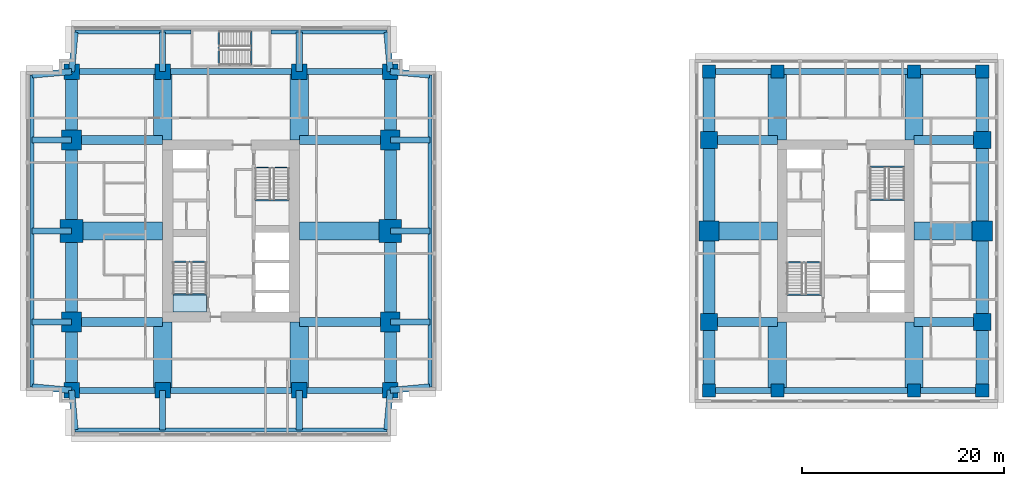
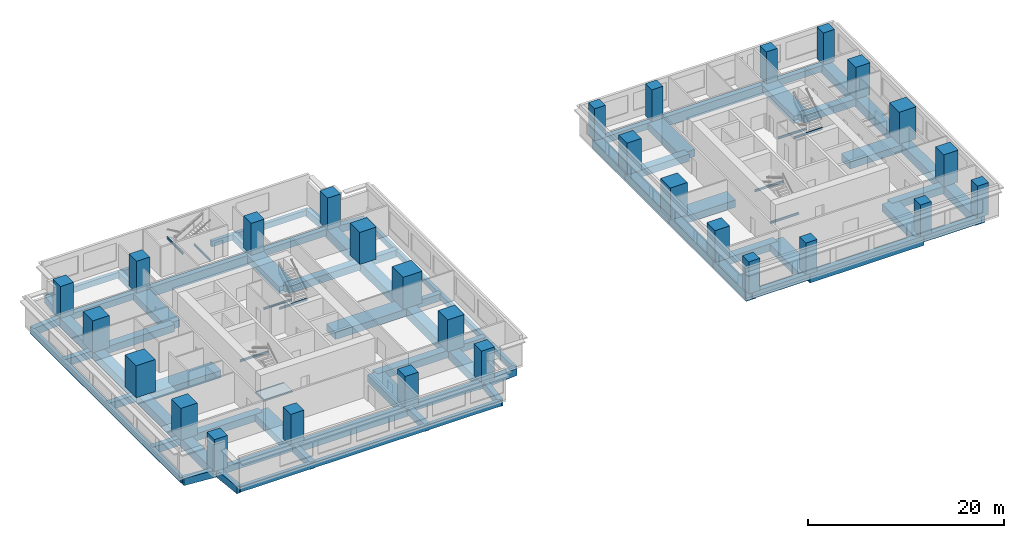
# One storey, part 1 of 11: 81 beams, 28 columns, 1 slab, 1 element without a shape of its own.
"""IFC4 building model written with IfcOpenShell, lengths in metres."""

from ifc_helpers import new_model, si_unit, direction, frame, origin, origin_2d, place, context, subcontext, project, spatial, polyline, rectangle, i_section, outline, extrude, material, layer, layer_set, material_profile, profile_set, type_object, element, aggregate, save


model = new_model("IFC4")

# Units and contexts
model_context = context("Model", 3, precision=1e-05, world=origin(), true_north=direction((0.0, 1.0)))
body_context = subcontext(model_context, "Body", "Model", "MODEL_VIEW")
ifc_project = project(units=[si_unit("LENGTHUNIT", "METRE"), si_unit("AREAUNIT", "SQUARE_METRE"), si_unit("VOLUMEUNIT", "CUBIC_METRE"), si_unit("PLANEANGLEUNIT", "RADIAN"), si_unit("MASSUNIT", "GRAM", prefix="KILO")], contexts=[model_context])

# Site, building, storey
site_placement = place(None, origin())
site = spatial("IfcSite", under=ifc_project, at=site_placement, CompositionType="ELEMENT")
building_placement = place(site_placement, origin())
building = spatial("IfcBuilding", under=site, at=building_placement, Name="Namib Vertical Campus", CompositionType="ELEMENT")
storey_placement = place(building_placement, frame((0.0, 0.0, 209.0)))
storey = spatial("IfcBuildingStorey", under=building, at=storey_placement, Name="L49", CompositionType="ELEMENT", Elevation=209.0)

# Columns
ifc_material_1 = material(Name="Concrete C60/75", Category="concrete")
ifc_material_profile_1 = material_profile(ifc_material_1, rectangle(XDim=1.300048828125, YDim=1.300048828125, at=origin_2d()))
ifc_profile_set_1 = profile_set([ifc_material_profile_1], Name="Concrete C60/75")
column_type_1 = type_object("IfcColumnType", Name="Column RC 1300x1300", PredefinedType="COLUMN", material=ifc_profile_set_1)
for number, where, z_axis, x_axis, name in (
    (1, (67.5, 4.5, 0.0), (0.0, 0.0, 1.0), (1.0, 0.0, 0.0), "Column C130 L49"),
    (2, (74.25, 4.5, 0.0), (0.0, 0.0, 1.0), (1.0, 0.0, 0.0), "Column C130 L49"),
    (3, (87.75, 4.5, 0.0), (0.0, 0.0, 1.0), (1.0, 0.0, 0.0), "Column C130 L49"),
    (4, (94.5, 4.5, 0.0), (0.0, 0.0, 1.0), (1.0, 0.0, 0.0), "Column C130 L49"),
    (5, (67.5, 36.0, 0.0), (0.0, 0.0, 1.0), (1.0, 0.0, 0.0), "Column C130 L49"),
    (6, (74.25, 36.0, 0.0), (0.0, 0.0, 1.0), (1.0, 0.0, 0.0), "Column C130 L49"),
    (7, (87.75, 36.0, 0.0), (0.0, 0.0, 1.0), (1.0, 0.0, 0.0), "Column C130 L49"),
    (8, (94.5, 36.0, 0.0), (0.0, 0.0, 1.0), (1.0, 0.0, 0.0), "Column C130 L49"),
):
    element("IfcColumn", number, at=place(storey_placement, frame(where, z_axis=z_axis, x_axis=x_axis)), inside=storey, type_object=column_type_1, Name=name, PredefinedType="COLUMN", context=body_context, shape_type="SweptSolid", body=[
        extrude(rectangle(XDim=1.300048828125, YDim=1.300048828125, at=origin_2d()), origin(), (0.0, 0.0, 1.0), 4.0),
    ])
ifc_material_2 = material(Name="Concrete C60/75", Category="concrete")
ifc_material_profile_2 = material_profile(ifc_material_2, rectangle(XDim=1.550048828125, YDim=1.550048828125, at=origin_2d()))
ifc_profile_set_2 = profile_set([ifc_material_profile_2], Name="Concrete C60/75")
column_type_2 = type_object("IfcColumnType", Name="Column RC 1550x1550", PredefinedType="COLUMN", material=ifc_profile_set_2)
for number, where, z_axis, x_axis, name in (
    (9, (4.5, 4.5, 0.0), (0.0, 0.0, 1.0), (1.0, 0.0, 0.0), "Column C155 L49"),
    (10, (13.5, 4.5, 0.0), (0.0, 0.0, 1.0), (1.0, 0.0, 0.0), "Column C155 L49"),
    (11, (27.0, 4.5, 0.0), (0.0, 0.0, 1.0), (1.0, 0.0, 0.0), "Column C155 L49"),
    (12, (36.0, 4.5, 0.0), (0.0, 0.0, 1.0), (1.0, 0.0, 0.0), "Column C155 L49"),
    (13, (4.5, 36.0, 0.0), (0.0, 0.0, 1.0), (1.0, 0.0, 0.0), "Column C155 L49"),
    (14, (13.5, 36.0, 0.0), (0.0, 0.0, 1.0), (1.0, 0.0, 0.0), "Column C155 L49"),
    (15, (27.0, 36.0, 0.0), (0.0, 0.0, 1.0), (1.0, 0.0, 0.0), "Column C155 L49"),
    (16, (36.0, 36.0, 0.0), (0.0, 0.0, 1.0), (1.0, 0.0, 0.0), "Column C155 L49"),
):
    element("IfcColumn", number, at=place(storey_placement, frame(where, z_axis=z_axis, x_axis=x_axis)), inside=storey, type_object=column_type_2, Name=name, PredefinedType="COLUMN", context=body_context, shape_type="SweptSolid", body=[
        extrude(rectangle(XDim=1.550048828125, YDim=1.550048828125, at=origin_2d()), origin(), (0.0, 0.0, 1.0), 4.0),
    ])
ifc_material_3 = material(Name="Concrete C60/75", Category="concrete")
ifc_material_profile_3 = material_profile(ifc_material_3, rectangle(XDim=1.699951171875, YDim=1.699951171875, at=origin_2d()))
ifc_profile_set_3 = profile_set([ifc_material_profile_3], Name="Concrete C60/75")
column_type_3 = type_object("IfcColumnType", Name="Column RC 1700x1700", PredefinedType="COLUMN", material=ifc_profile_set_3)
for number, where, z_axis, x_axis, name in (
    (17, (67.5, 11.25, 0.0), (0.0, 0.0, 1.0), (1.0, 0.0, 0.0), "Column C170 L49"),
    (18, (94.5, 11.25, 0.0), (0.0, 0.0, 1.0), (1.0, 0.0, 0.0), "Column C170 L49"),
    (19, (67.5, 29.25, 0.0), (0.0, 0.0, 1.0), (1.0, 0.0, 0.0), "Column C170 L49"),
    (20, (94.5, 29.25, 0.0), (0.0, 0.0, 1.0), (1.0, 0.0, 0.0), "Column C170 L49"),
):
    element("IfcColumn", number, at=place(storey_placement, frame(where, z_axis=z_axis, x_axis=x_axis)), inside=storey, type_object=column_type_3, Name=name, PredefinedType="COLUMN", context=body_context, shape_type="SweptSolid", body=[
        extrude(rectangle(XDim=1.699951171875, YDim=1.699951171875, at=origin_2d()), origin(), (0.0, 0.0, 1.0), 4.0),
    ])
ifc_material_4 = material(Name="Concrete C60/75", Category="concrete")
ifc_material_profile_4 = material_profile(ifc_material_4, rectangle(XDim=1.949951171875, YDim=1.949951171875, at=origin_2d()))
ifc_profile_set_4 = profile_set([ifc_material_profile_4], Name="Concrete C60/75")
column_type_4 = type_object("IfcColumnType", Name="Column RC 1950x1950", PredefinedType="COLUMN", material=ifc_profile_set_4)
for number, where, z_axis, x_axis, name in (
    (21, (4.5, 11.25, 0.0), (0.0, 0.0, 1.0), (1.0, 0.0, 0.0), "Column C195 L49"),
    (22, (36.0, 11.25, 0.0), (0.0, 0.0, 1.0), (1.0, 0.0, 0.0), "Column C195 L49"),
    (23, (4.5, 29.25, 0.0), (0.0, 0.0, 1.0), (1.0, 0.0, 0.0), "Column C195 L49"),
    (24, (36.0, 29.25, 0.0), (0.0, 0.0, 1.0), (1.0, 0.0, 0.0), "Column C195 L49"),
):
    element("IfcColumn", number, at=place(storey_placement, frame(where, z_axis=z_axis, x_axis=x_axis)), inside=storey, type_object=column_type_4, Name=name, PredefinedType="COLUMN", context=body_context, shape_type="SweptSolid", body=[
        extrude(rectangle(XDim=1.949951171875, YDim=1.949951171875, at=origin_2d()), origin(), (0.0, 0.0, 1.0), 4.0),
    ])
ifc_material_5 = material(Name="Concrete C60/75", Category="concrete")
ifc_material_profile_5 = material_profile(ifc_material_5, rectangle(XDim=2.0, YDim=2.0, at=origin_2d()))
ifc_profile_set_5 = profile_set([ifc_material_profile_5], Name="Concrete C60/75")
column_type_5 = type_object("IfcColumnType", Name="Column RC 2000x2000", PredefinedType="COLUMN", material=ifc_profile_set_5)
for number, where, z_axis, x_axis, name in (
    (25, (67.5, 20.25, 0.0), (0.0, 0.0, 1.0), (1.0, 0.0, 0.0), "Column C200 L49"),
    (26, (94.5, 20.25, 0.0), (0.0, 0.0, 1.0), (1.0, 0.0, 0.0), "Column C200 L49"),
):
    element("IfcColumn", number, at=place(storey_placement, frame(where, z_axis=z_axis, x_axis=x_axis)), inside=storey, type_object=column_type_5, Name=name, PredefinedType="COLUMN", context=body_context, shape_type="SweptSolid", body=[
        extrude(rectangle(XDim=2.0, YDim=2.0, at=origin_2d()), origin(), (0.0, 0.0, 1.0), 4.0),
    ])
ifc_material_6 = material(Name="Concrete C60/75", Category="concrete")
ifc_material_profile_6 = material_profile(ifc_material_6, rectangle(XDim=2.25, YDim=2.25, at=origin_2d()))
ifc_profile_set_6 = profile_set([ifc_material_profile_6], Name="Concrete C60/75")
column_type_6 = type_object("IfcColumnType", Name="Column RC 2250x2250", PredefinedType="COLUMN", material=ifc_profile_set_6)
for number, where, z_axis, x_axis, name in (
    (27, (4.5, 20.25, 0.0), (0.0, 0.0, 1.0), (1.0, 0.0, 0.0), "Column C225 L49"),
    (28, (36.0, 20.25, 0.0), (0.0, 0.0, 1.0), (1.0, 0.0, 0.0), "Column C225 L49"),
):
    element("IfcColumn", number, at=place(storey_placement, frame(where, z_axis=z_axis, x_axis=x_axis)), inside=storey, type_object=column_type_6, Name=name, PredefinedType="COLUMN", context=body_context, shape_type="SweptSolid", body=[
        extrude(rectangle(XDim=2.25, YDim=2.25, at=origin_2d()), origin(), (0.0, 0.0, 1.0), 4.0),
    ])

# Beams
ifc_material_7 = material(Name="Concrete C40/50", Category="concrete")
ifc_material_profile_7 = material_profile(ifc_material_7, rectangle(XDim=0.60009765625, YDim=0.89990234375, at=origin_2d()))
ifc_profile_set_7 = profile_set([ifc_material_profile_7], Name="Concrete C40/50")
beam_type_1 = type_object("IfcBeamType", Name="Cantilever girder RC 600x900", PredefinedType="BEAM", material=ifc_profile_set_7)
beam_1_placement = place(storey_placement, frame((4.5, 4.5, -0.699951171875), z_axis=(0.089411326146, -0.995994786511, 0.0), x_axis=(0.995994786511, 0.089411326146, 0.0)))
element("IfcBeam", 29, at=beam_1_placement, inside=storey, type_object=beam_type_1, Name="Beam B3 L49", PredefinedType="BEAM", context=body_context, shape_type="SweptSolid", body=[
    extrude(rectangle(XDim=0.60009765625, YDim=0.89990234375, at=origin_2d()), origin(), (0.0, 0.0, 1.0), 3.91552734375),
])
for number, where, z_axis, x_axis, name in (
    (30, (13.5, 4.5, -0.699951171875), (0.0, -1.0, 0.0), (1.0, 0.0, 0.0), "Beam B3 L49"),
    (31, (27.0, 4.5, -0.699951171875), (0.0, -1.0, 0.0), (1.0, 0.0, 0.0), "Beam B3 L49"),
):
    element("IfcBeam", number, at=place(storey_placement, frame(where, z_axis=z_axis, x_axis=x_axis)), inside=storey, type_object=beam_type_1, Name=name, PredefinedType="BEAM", context=body_context, shape_type="SweptSolid", body=[
        extrude(rectangle(XDim=0.60009765625, YDim=0.89990234375, at=origin_2d()), origin(), (0.0, 0.0, 1.0), 3.89990234375),
    ])
for number, where, z_axis, x_axis, name in (
    (32, (36.0, 4.5, -0.699951171875), (-0.089411326146, -0.995994786511, 0.0), (0.995994786511, -0.089411326146, 0.0), "Beam B3 L49"),
    (33, (4.5, 36.0, -0.699951171875), (0.089411326146, 0.995994786511, 0.0), (-0.995994786511, 0.089411326146, 0.0), "Beam B3 L49"),
):
    element("IfcBeam", number, at=place(storey_placement, frame(where, z_axis=z_axis, x_axis=x_axis)), inside=storey, type_object=beam_type_1, Name=name, PredefinedType="BEAM", context=body_context, shape_type="SweptSolid", body=[
        extrude(rectangle(XDim=0.60009765625, YDim=0.89990234375, at=origin_2d()), origin(), (0.0, 0.0, 1.0), 3.91552734375),
    ])
for number, where, z_axis, x_axis, name in (
    (34, (13.5, 36.0, -0.699951171875), (0.0, 1.0, 0.0), (-1.0, 0.0, 0.0), "Beam B3 L49"),
    (35, (27.0, 36.0, -0.699951171875), (0.0, 1.0, 0.0), (-1.0, 0.0, 0.0), "Beam B3 L49"),
):
    element("IfcBeam", number, at=place(storey_placement, frame(where, z_axis=z_axis, x_axis=x_axis)), inside=storey, type_object=beam_type_1, Name=name, PredefinedType="BEAM", context=body_context, shape_type="SweptSolid", body=[
        extrude(rectangle(XDim=0.60009765625, YDim=0.89990234375, at=origin_2d()), origin(), (0.0, 0.0, 1.0), 3.89990234375),
    ])
for number, where, z_axis, x_axis, name in (
    (36, (36.0, 36.0, -0.699951171875), (-0.089411326146, 0.995994786511, 0.0), (-0.995994786511, -0.089411326146, 0.0), "Beam B3 L49"),
    (37, (4.5, 4.5, -0.699951171875), (-0.995994786511, 0.089411326146, 0.0), (-0.089411326146, -0.995994786511, 0.0), "Beam B3 L49"),
):
    element("IfcBeam", number, at=place(storey_placement, frame(where, z_axis=z_axis, x_axis=x_axis)), inside=storey, type_object=beam_type_1, Name=name, PredefinedType="BEAM", context=body_context, shape_type="SweptSolid", body=[
        extrude(rectangle(XDim=0.60009765625, YDim=0.89990234375, at=origin_2d()), origin(), (0.0, 0.0, 1.0), 3.91552734375),
    ])
for number, where, z_axis, x_axis, name in (
    (38, (4.5, 11.25, -0.699951171875), (-1.0, 0.0, 0.0), (0.0, -1.0, 0.0), "Beam B3 L49"),
    (39, (4.5, 20.25, -0.699951171875), (-1.0, 0.0, 0.0), (0.0, -1.0, 0.0), "Beam B3 L49"),
    (40, (4.5, 29.25, -0.699951171875), (-1.0, 0.0, 0.0), (0.0, -1.0, 0.0), "Beam B3 L49"),
):
    element("IfcBeam", number, at=place(storey_placement, frame(where, z_axis=z_axis, x_axis=x_axis)), inside=storey, type_object=beam_type_1, Name=name, PredefinedType="BEAM", context=body_context, shape_type="SweptSolid", body=[
        extrude(rectangle(XDim=0.60009765625, YDim=0.89990234375, at=origin_2d()), origin(), (0.0, 0.0, 1.0), 3.89990234375),
    ])
for number, where, z_axis, x_axis, name in (
    (41, (4.5, 36.0, -0.699951171875), (-0.995994786511, -0.089411326146, 0.0), (0.089411326146, -0.995994786511, 0.0), "Beam B3 L49"),
    (42, (36.0, 4.5, -0.699951171875), (0.995994786511, 0.089411326146, 0.0), (-0.089411326146, 0.995994786511, 0.0), "Beam B3 L49"),
):
    element("IfcBeam", number, at=place(storey_placement, frame(where, z_axis=z_axis, x_axis=x_axis)), inside=storey, type_object=beam_type_1, Name=name, PredefinedType="BEAM", context=body_context, shape_type="SweptSolid", body=[
        extrude(rectangle(XDim=0.60009765625, YDim=0.89990234375, at=origin_2d()), origin(), (0.0, 0.0, 1.0), 3.91552734375),
    ])
for number, where, z_axis, x_axis, name in (
    (43, (36.0, 11.25, -0.699951171875), (1.0, 0.0, 0.0), (0.0, 1.0, 0.0), "Beam B3 L49"),
    (44, (36.0, 20.25, -0.699951171875), (1.0, 0.0, 0.0), (0.0, 1.0, 0.0), "Beam B3 L49"),
    (45, (36.0, 29.25, -0.699951171875), (1.0, 0.0, 0.0), (0.0, 1.0, 0.0), "Beam B3 L49"),
):
    element("IfcBeam", number, at=place(storey_placement, frame(where, z_axis=z_axis, x_axis=x_axis)), inside=storey, type_object=beam_type_1, Name=name, PredefinedType="BEAM", context=body_context, shape_type="SweptSolid", body=[
        extrude(rectangle(XDim=0.60009765625, YDim=0.89990234375, at=origin_2d()), origin(), (0.0, 0.0, 1.0), 3.89990234375),
    ])
beam_2_placement = place(storey_placement, frame((36.0, 36.0, -0.699951171875), z_axis=(0.995994786511, -0.089411326146, 0.0), x_axis=(0.089411326146, 0.995994786511, 0.0)))
element("IfcBeam", 46, at=beam_2_placement, inside=storey, type_object=beam_type_1, Name="Beam B3 L49", PredefinedType="BEAM", context=body_context, shape_type="SweptSolid", body=[
    extrude(rectangle(XDim=0.60009765625, YDim=0.89990234375, at=origin_2d()), origin(), (0.0, 0.0, 1.0), 3.91552734375),
])
ifc_material_8 = material(Name="Concrete C40/50", Category="concrete")
ifc_material_profile_8 = material_profile(ifc_material_8, rectangle(XDim=0.39990234375, YDim=0.699951171875, at=origin_2d()))
ifc_profile_set_8 = profile_set([ifc_material_profile_8], Name="Concrete C40/50")
beam_type_2 = type_object("IfcBeamType", Name="Edge beam RC 400x700", PredefinedType="SPANDREL", material=ifc_profile_set_8)
beam_3_placement = place(storey_placement, frame((4.85009765625, 0.60009765625, -0.60009765625), z_axis=(1.0, 0.0, 0.0), x_axis=(0.0, 1.0, 0.0)))
element("IfcBeam", 47, at=beam_3_placement, inside=storey, type_object=beam_type_2, Name="Beam B4 L49", PredefinedType="SPANDREL", context=body_context, shape_type="SweptSolid", body=[
    extrude(rectangle(XDim=0.39990234375, YDim=0.699951171875, at=origin_2d()), origin(), (0.0, 0.0, 1.0), 30.7998046875),
])
for number, where, z_axis, x_axis, name in (
    (48, (4.85009765625, 39.89990234375, -0.60009765625), (1.0, 0.0, 0.0), (0.0, 1.0, 0.0), "Beam B4 L49"),
    (49, (24.199951171875, 39.89990234375, -0.60009765625), (1.0, 0.0, 0.0), (0.0, 1.0, 0.0), "Beam B4 L49"),
):
    element("IfcBeam", number, at=place(storey_placement, frame(where, z_axis=z_axis, x_axis=x_axis)), inside=storey, type_object=beam_type_2, Name=name, PredefinedType="SPANDREL", context=body_context, shape_type="SweptSolid", body=[
        extrude(rectangle(XDim=0.39990234375, YDim=0.699951171875, at=origin_2d()), origin(), (0.0, 0.0, 1.0), 11.449951171875),
    ])
for number, where, z_axis, x_axis, name in (
    (50, (0.60009765625, 4.85009765625, -0.60009765625), (0.0, 1.0, 0.0), (-1.0, 0.0, 0.0), "Beam B4 L49"),
    (51, (39.89990234375, 4.85009765625, -0.60009765625), (0.0, 1.0, 0.0), (-1.0, 0.0, 0.0), "Beam B4 L49"),
):
    element("IfcBeam", number, at=place(storey_placement, frame(where, z_axis=z_axis, x_axis=x_axis)), inside=storey, type_object=beam_type_2, Name=name, PredefinedType="SPANDREL", context=body_context, shape_type="SweptSolid", body=[
        extrude(rectangle(XDim=0.39990234375, YDim=0.699951171875, at=origin_2d()), origin(), (0.0, 0.0, 1.0), 30.7998046875),
    ])
ifc_material_9 = material(Name="Concrete C40/50", Category="concrete")
ifc_material_profile_9 = material_profile(ifc_material_9, rectangle(XDim=0.89990234375, YDim=0.89990234375, at=origin_2d()))
ifc_profile_set_9 = profile_set([ifc_material_profile_9], Name="Concrete C40/50")
beam_type_3 = type_object("IfcBeamType", Name="Face girder RC 900x900", PredefinedType="BEAM", material=ifc_profile_set_9)
for number, where, z_axis, x_axis, name in (
    (52, (4.5, 11.25, -0.699951171875), (1.0, 0.0, 0.0), (0.0, 1.0, 0.0), "Beam B10 L49"),
    (53, (36.0, 11.25, -0.699951171875), (-1.0, 0.0, 0.0), (0.0, -1.0, 0.0), "Beam B10 L49"),
    (54, (4.5, 29.25, -0.699951171875), (1.0, 0.0, 0.0), (0.0, 1.0, 0.0), "Beam B10 L49"),
    (55, (36.0, 29.25, -0.699951171875), (-1.0, 0.0, 0.0), (0.0, -1.0, 0.0), "Beam B10 L49"),
):
    element("IfcBeam", number, at=place(storey_placement, frame(where, z_axis=z_axis, x_axis=x_axis)), inside=storey, type_object=beam_type_3, Name=name, PredefinedType="BEAM", context=body_context, shape_type="SweptSolid", body=[
        extrude(rectangle(XDim=0.89990234375, YDim=0.89990234375, at=origin_2d()), origin(), (0.0, 0.0, 1.0), 9.0),
    ])
for number, where, z_axis, x_axis, name in (
    (56, (67.5, 11.25, -0.699951171875), (1.0, 0.0, 0.0), (0.0, 1.0, 0.0), "Beam B10 L49"),
    (57, (94.5, 11.25, -0.699951171875), (-1.0, 0.0, 0.0), (0.0, -1.0, 0.0), "Beam B10 L49"),
    (58, (67.5, 29.25, -0.699951171875), (1.0, 0.0, 0.0), (0.0, 1.0, 0.0), "Beam B10 L49"),
    (59, (94.5, 29.25, -0.699951171875), (-1.0, 0.0, 0.0), (0.0, -1.0, 0.0), "Beam B10 L49"),
):
    element("IfcBeam", number, at=place(storey_placement, frame(where, z_axis=z_axis, x_axis=x_axis)), inside=storey, type_object=beam_type_3, Name=name, PredefinedType="BEAM", context=body_context, shape_type="SweptSolid", body=[
        extrude(rectangle(XDim=0.89990234375, YDim=0.89990234375, at=origin_2d()), origin(), (0.0, 0.0, 1.0), 6.75),
    ])
ifc_material_10 = material(Name="Concrete C40/50", Category="concrete")
ifc_material_profile_10 = material_profile(ifc_material_10, rectangle(XDim=1.199951171875, YDim=1.10009765625, at=origin_2d()))
ifc_profile_set_10 = profile_set([ifc_material_profile_10], Name="Concrete C40/50")
beam_type_4 = type_object("IfcBeamType", Name="Face ring beam RC 1200x1100", PredefinedType="BEAM", material=ifc_profile_set_10)
beam_4_placement = place(storey_placement, frame((4.5, 4.5, -0.800048828125), z_axis=(0.0, 1.0, 0.0), x_axis=(-1.0, 0.0, 0.0)))
element("IfcBeam", 60, at=beam_4_placement, inside=storey, type_object=beam_type_4, Name="Beam B11 L49", PredefinedType="BEAM", context=body_context, shape_type="SweptSolid", body=[
    extrude(rectangle(XDim=1.199951171875, YDim=1.10009765625, at=origin_2d()), origin(), (0.0, 0.0, 1.0), 6.75),
])
for number, where, z_axis, x_axis, name in (
    (61, (4.5, 11.25, -0.800048828125), (0.0, 1.0, 0.0), (-1.0, 0.0, 0.0), "Beam B11 L49"),
    (62, (4.5, 20.25, -0.800048828125), (0.0, 1.0, 0.0), (-1.0, 0.0, 0.0), "Beam B11 L49"),
):
    element("IfcBeam", number, at=place(storey_placement, frame(where, z_axis=z_axis, x_axis=x_axis)), inside=storey, type_object=beam_type_4, Name=name, PredefinedType="BEAM", context=body_context, shape_type="SweptSolid", body=[
        extrude(rectangle(XDim=1.199951171875, YDim=1.10009765625, at=origin_2d()), origin(), (0.0, 0.0, 1.0), 9.0),
    ])
for number, where, z_axis, x_axis, name in (
    (63, (4.5, 29.25, -0.800048828125), (0.0, 1.0, 0.0), (-1.0, 0.0, 0.0), "Beam B11 L49"),
    (64, (36.0, 4.5, -0.800048828125), (0.0, 1.0, 0.0), (-1.0, 0.0, 0.0), "Beam B11 L49"),
):
    element("IfcBeam", number, at=place(storey_placement, frame(where, z_axis=z_axis, x_axis=x_axis)), inside=storey, type_object=beam_type_4, Name=name, PredefinedType="BEAM", context=body_context, shape_type="SweptSolid", body=[
        extrude(rectangle(XDim=1.199951171875, YDim=1.10009765625, at=origin_2d()), origin(), (0.0, 0.0, 1.0), 6.75),
    ])
for number, where, z_axis, x_axis, name in (
    (65, (36.0, 11.25, -0.800048828125), (0.0, 1.0, 0.0), (-1.0, 0.0, 0.0), "Beam B11 L49"),
    (66, (36.0, 20.25, -0.800048828125), (0.0, 1.0, 0.0), (-1.0, 0.0, 0.0), "Beam B11 L49"),
):
    element("IfcBeam", number, at=place(storey_placement, frame(where, z_axis=z_axis, x_axis=x_axis)), inside=storey, type_object=beam_type_4, Name=name, PredefinedType="BEAM", context=body_context, shape_type="SweptSolid", body=[
        extrude(rectangle(XDim=1.199951171875, YDim=1.10009765625, at=origin_2d()), origin(), (0.0, 0.0, 1.0), 9.0),
    ])
for number, where, z_axis, x_axis, name in (
    (67, (36.0, 29.25, -0.800048828125), (0.0, 1.0, 0.0), (-1.0, 0.0, 0.0), "Beam B11 L49"),
    (68, (67.5, 4.5, -0.800048828125), (0.0, 1.0, 0.0), (-1.0, 0.0, 0.0), "Beam B11 L49"),
):
    element("IfcBeam", number, at=place(storey_placement, frame(where, z_axis=z_axis, x_axis=x_axis)), inside=storey, type_object=beam_type_4, Name=name, PredefinedType="BEAM", context=body_context, shape_type="SweptSolid", body=[
        extrude(rectangle(XDim=1.199951171875, YDim=1.10009765625, at=origin_2d()), origin(), (0.0, 0.0, 1.0), 6.75),
    ])
for number, where, z_axis, x_axis, name in (
    (69, (67.5, 11.25, -0.800048828125), (0.0, 1.0, 0.0), (-1.0, 0.0, 0.0), "Beam B11 L49"),
    (70, (67.5, 20.25, -0.800048828125), (0.0, 1.0, 0.0), (-1.0, 0.0, 0.0), "Beam B11 L49"),
):
    element("IfcBeam", number, at=place(storey_placement, frame(where, z_axis=z_axis, x_axis=x_axis)), inside=storey, type_object=beam_type_4, Name=name, PredefinedType="BEAM", context=body_context, shape_type="SweptSolid", body=[
        extrude(rectangle(XDim=1.199951171875, YDim=1.10009765625, at=origin_2d()), origin(), (0.0, 0.0, 1.0), 9.0),
    ])
for number, where, z_axis, x_axis, name in (
    (71, (67.5, 29.25, -0.800048828125), (0.0, 1.0, 0.0), (-1.0, 0.0, 0.0), "Beam B11 L49"),
    (72, (94.5, 4.5, -0.800048828125), (0.0, 1.0, 0.0), (-1.0, 0.0, 0.0), "Beam B11 L49"),
):
    element("IfcBeam", number, at=place(storey_placement, frame(where, z_axis=z_axis, x_axis=x_axis)), inside=storey, type_object=beam_type_4, Name=name, PredefinedType="BEAM", context=body_context, shape_type="SweptSolid", body=[
        extrude(rectangle(XDim=1.199951171875, YDim=1.10009765625, at=origin_2d()), origin(), (0.0, 0.0, 1.0), 6.75),
    ])
for number, where, z_axis, x_axis, name in (
    (73, (94.5, 11.25, -0.800048828125), (0.0, 1.0, 0.0), (-1.0, 0.0, 0.0), "Beam B11 L49"),
    (74, (94.5, 20.25, -0.800048828125), (0.0, 1.0, 0.0), (-1.0, 0.0, 0.0), "Beam B11 L49"),
):
    element("IfcBeam", number, at=place(storey_placement, frame(where, z_axis=z_axis, x_axis=x_axis)), inside=storey, type_object=beam_type_4, Name=name, PredefinedType="BEAM", context=body_context, shape_type="SweptSolid", body=[
        extrude(rectangle(XDim=1.199951171875, YDim=1.10009765625, at=origin_2d()), origin(), (0.0, 0.0, 1.0), 9.0),
    ])
beam_5_placement = place(storey_placement, frame((94.5, 29.25, -0.800048828125), z_axis=(0.0, 1.0, 0.0), x_axis=(-1.0, 0.0, 0.0)))
element("IfcBeam", 75, at=beam_5_placement, inside=storey, type_object=beam_type_4, Name="Beam B11 L49", PredefinedType="BEAM", context=body_context, shape_type="SweptSolid", body=[
    extrude(rectangle(XDim=1.199951171875, YDim=1.10009765625, at=origin_2d()), origin(), (0.0, 0.0, 1.0), 6.75),
])
ifc_material_11 = material(Name="Steel S355JR", Category="steel")
ifc_material_profile_11 = material_profile(ifc_material_11, i_section(OverallWidth=0.14599609375, OverallDepth=0.25146484375, WebThickness=0.006103515625, FlangeThickness=0.008544921875, FilletRadius=0.007568359375, at=origin_2d()))
ifc_profile_set_11 = profile_set([ifc_material_profile_11], Name="Steel S355JR")
beam_type_5 = type_object("IfcBeamType", Name="Landing trimmer UB 254x146x31", PredefinedType="BEAM", material=ifc_profile_set_11)
for number, where, z_axis, x_axis, name in (
    (76, (14.5, 13.97705078125, -0.125732421875), (1.0, 0.0, 0.0), (0.0, 1.0, 0.0), "Landing trimmer LT1 A-S1 L49 1"),
    (77, (14.5, 17.203125, 1.874267578125), (1.0, 0.0, 0.0), (0.0, 1.0, 0.0), "Landing trimmer LT1 A-S1 L49 2"),
    (78, (22.64990234375, 26.52294921875, -0.125732421875), (1.0, 0.0, 0.0), (0.0, 1.0, 0.0), "Landing trimmer LT1 A-S2 L49 1"),
    (79, (22.64990234375, 23.296875, 1.874267578125), (1.0, 0.0, 0.0), (0.0, 1.0, 0.0), "Landing trimmer LT1 A-S2 L49 2"),
):
    element("IfcBeam", number, at=place(storey_placement, frame(where, z_axis=z_axis, x_axis=x_axis)), inside=storey, type_object=beam_type_5, Name=name, PredefinedType="BEAM", context=body_context, shape_type="SweptSolid", body=[
        extrude(i_section(OverallWidth=0.14599609375, OverallDepth=0.25146484375, WebThickness=0.006103515625, FlangeThickness=0.008544921875, FilletRadius=0.007568359375, at=origin_2d()), origin(), (0.0, 0.0, 1.0), 3.35009765625),
    ])
for number, where, z_axis, x_axis, name in (
    (80, (75.199951171875, 13.927001953125, -0.125732421875), (1.0, 0.0, 0.0), (0.0, 1.0, 0.0), "Landing trimmer LT1 B-S1 L49 1"),
    (81, (75.199951171875, 17.153076171875, 1.874267578125), (1.0, 0.0, 0.0), (0.0, 1.0, 0.0), "Landing trimmer LT1 B-S1 L49 2"),
    (82, (83.39990234375, 26.572998046875, -0.125732421875), (1.0, 0.0, 0.0), (0.0, 1.0, 0.0), "Landing trimmer LT1 B-S2 L49 1"),
    (83, (83.39990234375, 23.346923828125, 1.874267578125), (1.0, 0.0, 0.0), (0.0, 1.0, 0.0), "Landing trimmer LT1 B-S2 L49 2"),
):
    element("IfcBeam", number, at=place(storey_placement, frame(where, z_axis=z_axis, x_axis=x_axis)), inside=storey, type_object=beam_type_5, Name=name, PredefinedType="BEAM", context=body_context, shape_type="SweptSolid", body=[
        extrude(i_section(OverallWidth=0.14599609375, OverallDepth=0.25146484375, WebThickness=0.006103515625, FlangeThickness=0.008544921875, FilletRadius=0.007568359375, at=origin_2d()), origin(), (0.0, 0.0, 1.0), 3.400146484375),
    ])
for number, where, z_axis, x_axis, name in (
    (84, (22.27294921875, 36.64990234375, -0.125732421875), (0.0, 1.0, 0.0), (-1.0, 0.0, 0.0), "Landing trimmer LT1 A-S3 L49 1"),
    (85, (19.046875, 36.64990234375, 1.874267578125), (0.0, 1.0, 0.0), (-1.0, 0.0, 0.0), "Landing trimmer LT1 A-S3 L49 2"),
):
    element("IfcBeam", number, at=place(storey_placement, frame(where, z_axis=z_axis, x_axis=x_axis)), inside=storey, type_object=beam_type_5, Name=name, PredefinedType="BEAM", context=body_context, shape_type="SweptSolid", body=[
        extrude(i_section(OverallWidth=0.14599609375, OverallDepth=0.25146484375, WebThickness=0.006103515625, FlangeThickness=0.008544921875, FilletRadius=0.007568359375, at=origin_2d()), origin(), (0.0, 0.0, 1.0), 3.35009765625),
    ])
ifc_material_12 = material(Name="Concrete C40/50", Category="concrete")
ifc_material_profile_12 = material_profile(ifc_material_12, rectangle(XDim=0.60009765625, YDim=1.199951171875, at=origin_2d()))
ifc_profile_set_12 = profile_set([ifc_material_profile_12], Name="Concrete C40/50")
beam_type_6 = type_object("IfcBeamType", Name="Long-span ring beam RC 600x1200", PredefinedType="BEAM", material=ifc_profile_set_12)
for number, where, z_axis, x_axis, name in (
    (86, (13.5, 4.5, -0.85009765625), (1.0, 0.0, 0.0), (0.0, 1.0, 0.0), "Beam B9 L49"),
    (87, (13.5, 36.0, -0.85009765625), (1.0, 0.0, 0.0), (0.0, 1.0, 0.0), "Beam B9 L49"),
    (88, (74.25, 4.5, -0.85009765625), (1.0, 0.0, 0.0), (0.0, 1.0, 0.0), "Beam B9 L49"),
    (89, (74.25, 36.0, -0.85009765625), (1.0, 0.0, 0.0), (0.0, 1.0, 0.0), "Beam B9 L49"),
):
    element("IfcBeam", number, at=place(storey_placement, frame(where, z_axis=z_axis, x_axis=x_axis)), inside=storey, type_object=beam_type_6, Name=name, PredefinedType="BEAM", context=body_context, shape_type="SweptSolid", body=[
        extrude(rectangle(XDim=0.60009765625, YDim=1.199951171875, at=origin_2d()), origin(), (0.0, 0.0, 1.0), 13.5),
    ])
ifc_material_13 = material(Name="Concrete C40/50", Category="concrete")
ifc_material_profile_13 = material_profile(ifc_material_13, rectangle(XDim=1.800048828125, YDim=0.89990234375, at=origin_2d()))
ifc_profile_set_13 = profile_set([ifc_material_profile_13], Name="Concrete C40/50")
beam_type_7 = type_object("IfcBeamType", Name="Outrigger line girder RC 1800x900", PredefinedType="BEAM", material=ifc_profile_set_13)
for number, where, z_axis, x_axis, name in (
    (90, (13.5, 4.5, -0.699951171875), (0.0, 1.0, 0.0), (-1.0, 0.0, 0.0), "Beam B12 L49"),
    (91, (13.5, 36.0, -0.699951171875), (0.0, -1.0, 0.0), (1.0, 0.0, 0.0), "Beam B12 L49"),
    (92, (27.0, 4.5, -0.699951171875), (0.0, 1.0, 0.0), (-1.0, 0.0, 0.0), "Beam B12 L49"),
    (93, (27.0, 36.0, -0.699951171875), (0.0, -1.0, 0.0), (1.0, 0.0, 0.0), "Beam B12 L49"),
):
    element("IfcBeam", number, at=place(storey_placement, frame(where, z_axis=z_axis, x_axis=x_axis)), inside=storey, type_object=beam_type_7, Name=name, PredefinedType="BEAM", context=body_context, shape_type="SweptSolid", body=[
        extrude(rectangle(XDim=1.800048828125, YDim=0.89990234375, at=origin_2d()), origin(), (0.0, 0.0, 1.0), 6.75),
    ])
for number, where, z_axis, x_axis, name in (
    (94, (4.5, 20.25, -0.699951171875), (1.0, 0.0, 0.0), (0.0, 1.0, 0.0), "Beam B12 L49"),
    (95, (36.0, 20.25, -0.699951171875), (-1.0, 0.0, 0.0), (0.0, -1.0, 0.0), "Beam B12 L49"),
):
    element("IfcBeam", number, at=place(storey_placement, frame(where, z_axis=z_axis, x_axis=x_axis)), inside=storey, type_object=beam_type_7, Name=name, PredefinedType="BEAM", context=body_context, shape_type="SweptSolid", body=[
        extrude(rectangle(XDim=1.800048828125, YDim=0.89990234375, at=origin_2d()), origin(), (0.0, 0.0, 1.0), 9.0),
    ])
for number, where, z_axis, x_axis, name in (
    (96, (74.25, 4.5, -0.699951171875), (0.0, 1.0, 0.0), (-1.0, 0.0, 0.0), "Beam B12 L49"),
    (97, (74.25, 36.0, -0.699951171875), (0.0, -1.0, 0.0), (1.0, 0.0, 0.0), "Beam B12 L49"),
    (98, (87.75, 4.5, -0.699951171875), (0.0, 1.0, 0.0), (-1.0, 0.0, 0.0), "Beam B12 L49"),
    (99, (87.75, 36.0, -0.699951171875), (0.0, -1.0, 0.0), (1.0, 0.0, 0.0), "Beam B12 L49"),
    (100, (67.5, 20.25, -0.699951171875), (1.0, 0.0, 0.0), (0.0, 1.0, 0.0), "Beam B12 L49"),
    (101, (94.5, 20.25, -0.699951171875), (-1.0, 0.0, 0.0), (0.0, -1.0, 0.0), "Beam B12 L49"),
):
    element("IfcBeam", number, at=place(storey_placement, frame(where, z_axis=z_axis, x_axis=x_axis)), inside=storey, type_object=beam_type_7, Name=name, PredefinedType="BEAM", context=body_context, shape_type="SweptSolid", body=[
        extrude(rectangle(XDim=1.800048828125, YDim=0.89990234375, at=origin_2d()), origin(), (0.0, 0.0, 1.0), 6.75),
    ])
ifc_material_14 = material(Name="Concrete C40/50", Category="concrete")
ifc_material_profile_14 = material_profile(ifc_material_14, rectangle(XDim=0.60009765625, YDim=0.800048828125, at=origin_2d()))
ifc_profile_set_14 = profile_set([ifc_material_profile_14], Name="Concrete C40/50")
beam_type_8 = type_object("IfcBeamType", Name="Ring beam RC 600x800", PredefinedType="BEAM", material=ifc_profile_set_14)
for number, where, z_axis, x_axis, name in (
    (102, (4.5, 4.5, -0.64990234375), (1.0, 0.0, 0.0), (0.0, 1.0, 0.0), "Beam B1 L49"),
    (103, (27.0, 4.5, -0.64990234375), (1.0, 0.0, 0.0), (0.0, 1.0, 0.0), "Beam B1 L49"),
    (104, (4.5, 36.0, -0.64990234375), (1.0, 0.0, 0.0), (0.0, 1.0, 0.0), "Beam B1 L49"),
    (105, (27.0, 36.0, -0.64990234375), (1.0, 0.0, 0.0), (0.0, 1.0, 0.0), "Beam B1 L49"),
):
    element("IfcBeam", number, at=place(storey_placement, frame(where, z_axis=z_axis, x_axis=x_axis)), inside=storey, type_object=beam_type_8, Name=name, PredefinedType="BEAM", context=body_context, shape_type="SweptSolid", body=[
        extrude(rectangle(XDim=0.60009765625, YDim=0.800048828125, at=origin_2d()), origin(), (0.0, 0.0, 1.0), 9.0),
    ])
for number, where, z_axis, x_axis, name in (
    (106, (67.5, 4.5, -0.64990234375), (1.0, 0.0, 0.0), (0.0, 1.0, 0.0), "Beam B1 L49"),
    (107, (87.75, 4.5, -0.64990234375), (1.0, 0.0, 0.0), (0.0, 1.0, 0.0), "Beam B1 L49"),
    (108, (67.5, 36.0, -0.64990234375), (1.0, 0.0, 0.0), (0.0, 1.0, 0.0), "Beam B1 L49"),
    (109, (87.75, 36.0, -0.64990234375), (1.0, 0.0, 0.0), (0.0, 1.0, 0.0), "Beam B1 L49"),
):
    element("IfcBeam", number, at=place(storey_placement, frame(where, z_axis=z_axis, x_axis=x_axis)), inside=storey, type_object=beam_type_8, Name=name, PredefinedType="BEAM", context=body_context, shape_type="SweptSolid", body=[
        extrude(rectangle(XDim=0.60009765625, YDim=0.800048828125, at=origin_2d()), origin(), (0.0, 0.0, 1.0), 6.75),
    ])

# Stair, slab
ifc_material_15 = material(Name="Concrete C40/50 precast", Category="concrete")
stair_type = type_object("IfcStairType", Name="Exit stair 4000 rise 24 risers 3350 wide", PredefinedType="HALF_TURN_STAIR", material=ifc_material_15)
stair_placement = place(storey_placement, origin())
stair = element("IfcStair", 110, at=stair_placement, inside=storey, type_object=stair_type, Name="Exit stair A-S1 L49", PredefinedType="HALF_TURN_STAIR")
ifc_material_16 = material(Name="Concrete C40/50", Category="concrete")
ifc_layer = layer(ifc_material_16, 0.199951171875)
ifc_layer_set = layer_set([ifc_layer], Name="Concrete C40/50")
slab_type = type_object("IfcSlabType", Name="Stair landing 200", PredefinedType="LANDING", material=ifc_layer_set)
slab_placement = place(storey_placement, frame((0.0, 0.0, -0.199951171875)))
slab = element("IfcSlab", 111, at=slab_placement, type_object=slab_type, Name="A-S1 landing 1", PredefinedType="LANDING", context=body_context, shape_type="SweptSolid", body=[
    extrude(outline(polyline([(14.5, 12.25), (17.85009765625, 12.25), (17.85009765625, 13.90380859375), (14.5, 13.90380859375), (14.5, 12.25)])), origin(), (0.0, 0.0, 1.0), 0.199951171875),
])
aggregate(stair, [slab])

save(model, "model.ifc")
